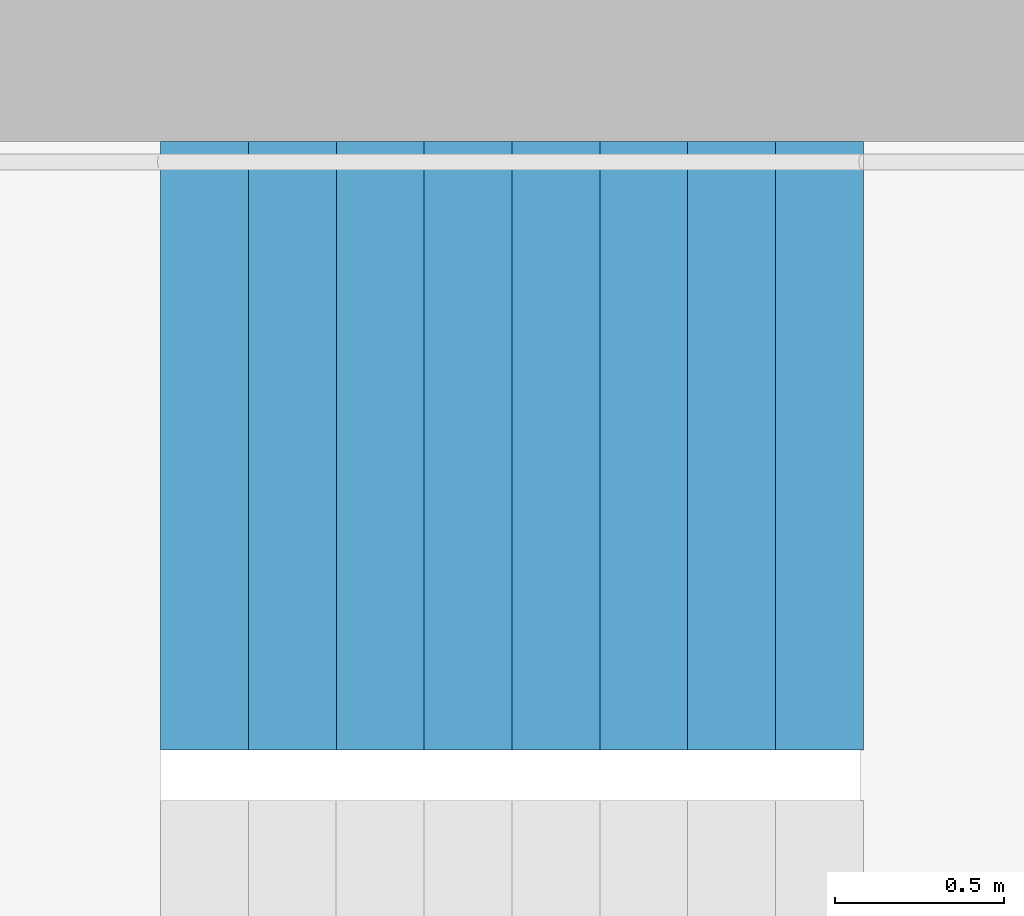
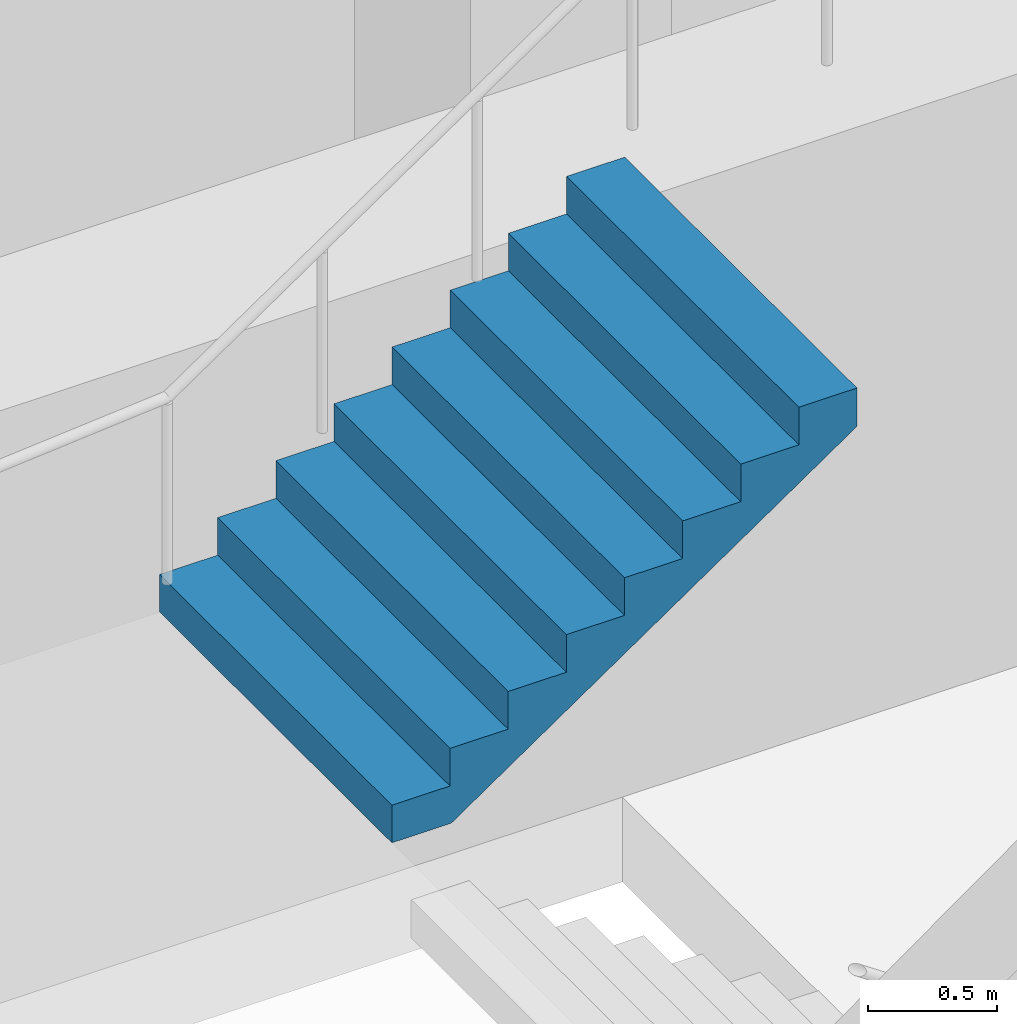
# One storey, part 28 of 29: 1 stair flight, 1 element without a shape of its own.
"""IFC4 building model written with IfcOpenShell, lengths in metres."""

from ifc_helpers import new_model, si_unit, direction, frame, origin, place, context, subcontext, project, spatial, triangles, material, type_object, element, aggregate, save


model = new_model("IFC4")

# Units and contexts
model_context = context("Model", 3, precision=1e-05, world=origin(), true_north=direction((0.0, 1.0)))
body_context = subcontext(model_context, "Body", "Model", "MODEL_VIEW")
ifc_project = project(units=[si_unit("LENGTHUNIT", "METRE"), si_unit("AREAUNIT", "SQUARE_METRE"), si_unit("VOLUMEUNIT", "CUBIC_METRE"), si_unit("PLANEANGLEUNIT", "RADIAN"), si_unit("MASSUNIT", "GRAM", prefix="KILO")], contexts=[model_context])

# Site, building, storey
site_placement = place(None, origin())
site = spatial("IfcSite", under=ifc_project, at=site_placement, CompositionType="ELEMENT")
building_placement = place(site_placement, origin())
building = spatial("IfcBuilding", under=site, at=building_placement, Name="Hakoniwa Tower and Hamabe Station Hall", CompositionType="ELEMENT")
storey_placement = place(building_placement, frame((0.0, 0.0, 113.800048828125)))
storey = spatial("IfcBuildingStorey", under=building, at=storey_placement, Name="L32", CompositionType="ELEMENT", Elevation=113.800048828125)

# Stair, stair flight
ifc_material_1 = material(Name="Concrete C40", Category="concrete")
stair_type = type_object("IfcStairType", Name="ESCAPE STAIR 1800", PredefinedType="HALF_TURN_STAIR", material=ifc_material_1)
stair_placement = place(storey_placement, origin())
stair = element("IfcStair", 1, at=stair_placement, inside=storey, type_object=stair_type, Name="Escape stair ST-3 L32", PredefinedType="HALF_TURN_STAIR")
ifc_material_2 = material(Name="Concrete C40", Category="concrete")
stair_flight_type = type_object("IfcStairFlightType", Name="STAIR FLIGHT 1800", PredefinedType="STRAIGHT", material=ifc_material_2)
stair_flight_placement = place(storey_placement, frame((22.320068359375, 6.60009765625, 1.599853515625), z_axis=(0.0, 0.0, 1.0), x_axis=(1.0, 0.0, 0.0)))
stair_flight = element("IfcStairFlight", 2, at=stair_flight_placement, type_object=stair_flight_type, Name="ST-3 flight 2", NumberOfRisers=9, NumberOfTreads=8, PredefinedType="STRAIGHT", RiserHeight=0.177777778, TreadLength=0.26, context=body_context, shape_type="Tessellation", body=[
    triangles([(0.0, 0.89990234375, 0.0), (0.260009765625, 0.89990234375, 0.0), (0.265625, 0.89990234375, 0.0), (0.52001953125, 0.89990234375, 0.174072265625), (0.780029296875, 0.89990234375, 0.351806640625), (1.0400390625, 0.89990234375, 0.529541015625), (1.300048828125, 0.89990234375, 0.707275390625), (1.56005859375, 0.89990234375, 0.885009765625), (1.820068359375, 0.89990234375, 1.062744140625), (2.080078125, 0.89990234375, 1.24072265625), (2.080078125, 0.89990234375, 1.422119140625), (1.820068359375, 0.89990234375, 1.422119140625), (1.820068359375, 0.89990234375, 1.244384765625), (1.56005859375, 0.89990234375, 1.244384765625), (1.56005859375, 0.89990234375, 1.066650390625), (1.300048828125, 0.89990234375, 1.066650390625), (1.300048828125, 0.89990234375, 0.888916015625), (1.0400390625, 0.89990234375, 0.888916015625), (1.0400390625, 0.89990234375, 0.711181640625), (0.780029296875, 0.89990234375, 0.711181640625), (0.780029296875, 0.89990234375, 0.533447265625), (0.52001953125, 0.89990234375, 0.533447265625), (0.52001953125, 0.89990234375, 0.35546875), (0.265625, 0.89990234375, 0.35546875), (0.260009765625, 0.89990234375, 0.35546875), (0.260009765625, 0.89990234375, 0.177734375), (0.0, 0.89990234375, 0.177734375), (0.0, 0.06005859375, 0.0), (0.260009765625, 0.06005859375, 0.0), (0.265625, 0.06005859375, 0.0), (0.52001953125, 0.06005859375, 0.174072265625), (0.780029296875, 0.06005859375, 0.351806640625), (1.0400390625, 0.06005859375, 0.529541015625), (1.300048828125, 0.06005859375, 0.707275390625), (1.56005859375, 0.06005859375, 0.885009765625), (1.820068359375, 0.06005859375, 1.062744140625), (2.080078125, 0.06005859375, 1.24072265625), (2.080078125, 0.06005859375, 1.422119140625), (1.820068359375, 0.06005859375, 1.422119140625), (1.820068359375, 0.06005859375, 1.244384765625), (1.56005859375, 0.06005859375, 1.244384765625), (1.56005859375, 0.06005859375, 1.066650390625), (1.300048828125, 0.06005859375, 1.066650390625), (1.300048828125, 0.06005859375, 0.888916015625), (1.0400390625, 0.06005859375, 0.888916015625), (1.0400390625, 0.06005859375, 0.711181640625), (0.780029296875, 0.06005859375, 0.711181640625), (0.780029296875, 0.06005859375, 0.533447265625), (0.52001953125, 0.06005859375, 0.533447265625), (0.52001953125, 0.06005859375, 0.35546875), (0.265625, 0.06005859375, 0.35546875), (0.260009765625, 0.06005859375, 0.35546875), (0.260009765625, 0.06005859375, 0.177734375), (0.0, 0.06005859375, 0.177734375), (0.0, 0.04296875, 0.0), (0.260009765625, 0.04296875, 0.0), (0.265625, 0.04296875, 0.0), (0.52001953125, 0.04296875, 0.174072265625), (0.780029296875, 0.04296875, 0.351806640625), (1.0400390625, 0.04296875, 0.529541015625), (1.300048828125, 0.04296875, 0.707275390625), (1.56005859375, 0.04296875, 0.885009765625), (1.820068359375, 0.04296875, 1.062744140625), (2.080078125, 0.04296875, 1.24072265625), (2.080078125, 0.04296875, 1.422119140625), (1.820068359375, 0.04296875, 1.422119140625), (1.820068359375, 0.04296875, 1.244384765625), (1.56005859375, 0.04296875, 1.244384765625), (1.56005859375, 0.04296875, 1.066650390625), (1.300048828125, 0.04296875, 1.066650390625), (1.300048828125, 0.04296875, 0.888916015625), (1.0400390625, 0.04296875, 0.888916015625), (1.0400390625, 0.04296875, 0.711181640625), (0.780029296875, 0.04296875, 0.711181640625), (0.780029296875, 0.04296875, 0.533447265625), (0.52001953125, 0.04296875, 0.533447265625), (0.52001953125, 0.04296875, 0.35546875), (0.265625, 0.04296875, 0.35546875), (0.260009765625, 0.04296875, 0.35546875), (0.260009765625, 0.04296875, 0.177734375), (0.0, 0.04296875, 0.177734375), (0.0, 0.025634765625, 0.0), (0.260009765625, 0.025634765625, 0.0), (0.265625, 0.025634765625, 0.0), (0.52001953125, 0.025634765625, 0.174072265625), (0.780029296875, 0.025634765625, 0.351806640625), (1.0400390625, 0.025634765625, 0.529541015625), (1.300048828125, 0.025634765625, 0.707275390625), (1.56005859375, 0.025634765625, 0.885009765625), (1.820068359375, 0.025634765625, 1.062744140625), (2.080078125, 0.025634765625, 1.24072265625), (2.080078125, 0.025634765625, 1.422119140625), (1.820068359375, 0.025634765625, 1.422119140625), (1.820068359375, 0.025634765625, 1.244384765625), (1.56005859375, 0.025634765625, 1.244384765625), (1.56005859375, 0.025634765625, 1.066650390625), (1.300048828125, 0.025634765625, 1.066650390625), (1.300048828125, 0.025634765625, 0.888916015625), (1.0400390625, 0.025634765625, 0.888916015625), (1.0400390625, 0.025634765625, 0.711181640625), (0.780029296875, 0.025634765625, 0.711181640625), (0.780029296875, 0.025634765625, 0.533447265625), (0.52001953125, 0.025634765625, 0.533447265625), (0.52001953125, 0.025634765625, 0.35546875), (0.265625, 0.025634765625, 0.35546875), (0.260009765625, 0.025634765625, 0.35546875), (0.260009765625, 0.025634765625, 0.177734375), (0.0, 0.025634765625, 0.177734375), (0.0, 0.008544921875, 0.0), (0.260009765625, 0.008544921875, 0.0), (0.265625, 0.008544921875, 0.0), (0.52001953125, 0.008544921875, 0.174072265625), (0.780029296875, 0.008544921875, 0.351806640625), (1.0400390625, 0.008544921875, 0.529541015625), (1.300048828125, 0.008544921875, 0.707275390625), (1.56005859375, 0.008544921875, 0.885009765625), (1.820068359375, 0.008544921875, 1.062744140625), (2.080078125, 0.008544921875, 1.24072265625), (2.080078125, 0.008544921875, 1.422119140625), (1.820068359375, 0.008544921875, 1.422119140625), (1.820068359375, 0.008544921875, 1.244384765625), (1.56005859375, 0.008544921875, 1.244384765625), (1.56005859375, 0.008544921875, 1.066650390625), (1.300048828125, 0.008544921875, 1.066650390625), (1.300048828125, 0.008544921875, 0.888916015625), (1.0400390625, 0.008544921875, 0.888916015625), (1.0400390625, 0.008544921875, 0.711181640625), (0.780029296875, 0.008544921875, 0.711181640625), (0.780029296875, 0.008544921875, 0.533447265625), (0.52001953125, 0.008544921875, 0.533447265625), (0.52001953125, 0.008544921875, 0.35546875), (0.265625, 0.008544921875, 0.35546875), (0.260009765625, 0.008544921875, 0.35546875), (0.260009765625, 0.008544921875, 0.177734375), (0.0, 0.008544921875, 0.177734375), (0.0, -0.008544921875, 0.0), (0.260009765625, -0.008544921875, 0.0), (0.265625, -0.008544921875, 0.0), (0.52001953125, -0.008544921875, 0.174072265625), (0.780029296875, -0.008544921875, 0.351806640625), (1.0400390625, -0.008544921875, 0.529541015625), (1.300048828125, -0.008544921875, 0.707275390625), (1.56005859375, -0.008544921875, 0.885009765625), (1.820068359375, -0.008544921875, 1.062744140625), (2.080078125, -0.008544921875, 1.24072265625), (2.080078125, -0.008544921875, 1.422119140625), (1.820068359375, -0.008544921875, 1.422119140625), (1.820068359375, -0.008544921875, 1.244384765625), (1.56005859375, -0.008544921875, 1.244384765625), (1.56005859375, -0.008544921875, 1.066650390625), (1.300048828125, -0.008544921875, 1.066650390625), (1.300048828125, -0.008544921875, 0.888916015625), (1.0400390625, -0.008544921875, 0.888916015625), (1.0400390625, -0.008544921875, 0.711181640625), (0.780029296875, -0.008544921875, 0.711181640625), (0.780029296875, -0.008544921875, 0.533447265625), (0.52001953125, -0.008544921875, 0.533447265625), (0.52001953125, -0.008544921875, 0.35546875), (0.265625, -0.008544921875, 0.35546875), (0.260009765625, -0.008544921875, 0.35546875), (0.260009765625, -0.008544921875, 0.177734375), (0.0, -0.008544921875, 0.177734375), (0.0, -0.025634765625, 0.0), (0.260009765625, -0.025634765625, 0.0), (0.265625, -0.025634765625, 0.0), (0.52001953125, -0.025634765625, 0.174072265625), (0.780029296875, -0.025634765625, 0.351806640625), (1.0400390625, -0.025634765625, 0.529541015625), (1.300048828125, -0.025634765625, 0.707275390625), (1.56005859375, -0.025634765625, 0.885009765625), (1.820068359375, -0.025634765625, 1.062744140625), (2.080078125, -0.025634765625, 1.24072265625), (2.080078125, -0.025634765625, 1.422119140625), (1.820068359375, -0.025634765625, 1.422119140625), (1.820068359375, -0.025634765625, 1.244384765625), (1.56005859375, -0.025634765625, 1.244384765625), (1.56005859375, -0.025634765625, 1.066650390625), (1.300048828125, -0.025634765625, 1.066650390625), (1.300048828125, -0.025634765625, 0.888916015625), (1.0400390625, -0.025634765625, 0.888916015625), (1.0400390625, -0.025634765625, 0.711181640625), (0.780029296875, -0.025634765625, 0.711181640625), (0.780029296875, -0.025634765625, 0.533447265625), (0.52001953125, -0.025634765625, 0.533447265625), (0.52001953125, -0.025634765625, 0.35546875), (0.265625, -0.025634765625, 0.35546875), (0.260009765625, -0.025634765625, 0.35546875), (0.260009765625, -0.025634765625, 0.177734375), (0.0, -0.025634765625, 0.177734375), (0.0, -0.04296875, 0.0), (0.260009765625, -0.04296875, 0.0), (0.265625, -0.04296875, 0.0), (0.52001953125, -0.04296875, 0.174072265625), (0.780029296875, -0.04296875, 0.351806640625), (1.0400390625, -0.04296875, 0.529541015625), (1.300048828125, -0.04296875, 0.707275390625), (1.56005859375, -0.04296875, 0.885009765625), (1.820068359375, -0.04296875, 1.062744140625), (2.080078125, -0.04296875, 1.24072265625), (2.080078125, -0.04296875, 1.422119140625), (1.820068359375, -0.04296875, 1.422119140625), (1.820068359375, -0.04296875, 1.244384765625), (1.56005859375, -0.04296875, 1.244384765625), (1.56005859375, -0.04296875, 1.066650390625), (1.300048828125, -0.04296875, 1.066650390625), (1.300048828125, -0.04296875, 0.888916015625), (1.0400390625, -0.04296875, 0.888916015625), (1.0400390625, -0.04296875, 0.711181640625), (0.780029296875, -0.04296875, 0.711181640625), (0.780029296875, -0.04296875, 0.533447265625), (0.52001953125, -0.04296875, 0.533447265625), (0.52001953125, -0.04296875, 0.35546875), (0.265625, -0.04296875, 0.35546875), (0.260009765625, -0.04296875, 0.35546875), (0.260009765625, -0.04296875, 0.177734375), (0.0, -0.04296875, 0.177734375), (0.0, -0.06005859375, 0.0), (0.260009765625, -0.06005859375, 0.0), (0.265625, -0.06005859375, 0.0), (0.52001953125, -0.06005859375, 0.174072265625), (0.780029296875, -0.06005859375, 0.351806640625), (1.0400390625, -0.06005859375, 0.529541015625), (1.300048828125, -0.06005859375, 0.707275390625), (1.56005859375, -0.06005859375, 0.885009765625), (1.820068359375, -0.06005859375, 1.062744140625), (2.080078125, -0.06005859375, 1.24072265625), (2.080078125, -0.06005859375, 1.422119140625), (1.820068359375, -0.06005859375, 1.422119140625), (1.820068359375, -0.06005859375, 1.244384765625), (1.56005859375, -0.06005859375, 1.244384765625), (1.56005859375, -0.06005859375, 1.066650390625), (1.300048828125, -0.06005859375, 1.066650390625), (1.300048828125, -0.06005859375, 0.888916015625), (1.0400390625, -0.06005859375, 0.888916015625), (1.0400390625, -0.06005859375, 0.711181640625), (0.780029296875, -0.06005859375, 0.711181640625), (0.780029296875, -0.06005859375, 0.533447265625), (0.52001953125, -0.06005859375, 0.533447265625), (0.52001953125, -0.06005859375, 0.35546875), (0.265625, -0.06005859375, 0.35546875), (0.260009765625, -0.06005859375, 0.35546875), (0.260009765625, -0.06005859375, 0.177734375), (0.0, -0.06005859375, 0.177734375), (0.0, -0.89990234375, 0.0), (0.260009765625, -0.89990234375, 0.0), (0.265625, -0.89990234375, 0.0), (0.52001953125, -0.89990234375, 0.174072265625), (0.780029296875, -0.89990234375, 0.351806640625), (1.0400390625, -0.89990234375, 0.529541015625), (1.300048828125, -0.89990234375, 0.707275390625), (1.56005859375, -0.89990234375, 0.885009765625), (1.820068359375, -0.89990234375, 1.062744140625), (2.080078125, -0.89990234375, 1.24072265625), (2.080078125, -0.89990234375, 1.422119140625), (1.820068359375, -0.89990234375, 1.422119140625), (1.820068359375, -0.89990234375, 1.244384765625), (1.56005859375, -0.89990234375, 1.244384765625), (1.56005859375, -0.89990234375, 1.066650390625), (1.300048828125, -0.89990234375, 1.066650390625), (1.300048828125, -0.89990234375, 0.888916015625), (1.0400390625, -0.89990234375, 0.888916015625), (1.0400390625, -0.89990234375, 0.711181640625), (0.780029296875, -0.89990234375, 0.711181640625), (0.780029296875, -0.89990234375, 0.533447265625), (0.52001953125, -0.89990234375, 0.533447265625), (0.52001953125, -0.89990234375, 0.35546875), (0.265625, -0.89990234375, 0.35546875), (0.260009765625, -0.89990234375, 0.35546875), (0.260009765625, -0.89990234375, 0.177734375), (0.0, -0.89990234375, 0.177734375)], [[2, 27, 26], [245, 269, 270], [2, 1, 27], [245, 270, 244], [3, 25, 24], [246, 267, 268], [3, 26, 25], [246, 268, 269], [3, 2, 26], [246, 269, 245], [4, 24, 23], [247, 266, 267], [4, 3, 24], [247, 267, 246], [5, 22, 21], [248, 264, 265], [5, 23, 22], [248, 265, 266], [5, 4, 23], [248, 266, 247], [6, 20, 19], [249, 262, 263], [6, 21, 20], [249, 263, 264], [6, 5, 21], [249, 264, 248], [7, 18, 17], [250, 260, 261], [7, 19, 18], [250, 261, 262], [7, 6, 19], [250, 262, 249], [8, 16, 15], [251, 258, 259], [8, 17, 16], [251, 259, 260], [8, 7, 17], [251, 260, 250], [9, 14, 13], [252, 256, 257], [9, 15, 14], [252, 257, 258], [9, 8, 15], [252, 258, 251], [10, 12, 11], [253, 254, 255], [10, 13, 12], [253, 255, 256], [10, 9, 13], [253, 256, 252], [1, 2, 29], [1, 29, 28], [28, 29, 56], [28, 56, 55], [55, 56, 83], [55, 83, 82], [82, 83, 110], [82, 110, 109], [109, 110, 137], [109, 137, 136], [136, 137, 164], [136, 164, 163], [163, 164, 191], [163, 191, 190], [190, 191, 218], [190, 218, 217], [217, 218, 245], [217, 245, 244], [2, 3, 30], [2, 30, 29], [29, 30, 57], [29, 57, 56], [56, 57, 84], [56, 84, 83], [83, 84, 111], [83, 111, 110], [110, 111, 138], [110, 138, 137], [137, 138, 165], [137, 165, 164], [164, 165, 192], [164, 192, 191], [191, 192, 219], [191, 219, 218], [218, 219, 246], [218, 246, 245], [3, 4, 31], [3, 31, 30], [30, 31, 58], [30, 58, 57], [57, 58, 85], [57, 85, 84], [84, 85, 112], [84, 112, 111], [111, 112, 139], [111, 139, 138], [138, 139, 166], [138, 166, 165], [165, 166, 193], [165, 193, 192], [192, 193, 220], [192, 220, 219], [219, 220, 247], [219, 247, 246], [4, 5, 32], [4, 32, 31], [31, 32, 59], [31, 59, 58], [58, 59, 86], [58, 86, 85], [85, 86, 113], [85, 113, 112], [112, 113, 140], [112, 140, 139], [139, 140, 167], [139, 167, 166], [166, 167, 194], [166, 194, 193], [193, 194, 221], [193, 221, 220], [220, 221, 248], [220, 248, 247], [5, 6, 33], [5, 33, 32], [32, 33, 60], [32, 60, 59], [59, 60, 87], [59, 87, 86], [86, 87, 114], [86, 114, 113], [113, 114, 141], [113, 141, 140], [140, 141, 168], [140, 168, 167], [167, 168, 195], [167, 195, 194], [194, 195, 222], [194, 222, 221], [221, 222, 249], [221, 249, 248], [6, 7, 34], [6, 34, 33], [33, 34, 61], [33, 61, 60], [60, 61, 88], [60, 88, 87], [87, 88, 115], [87, 115, 114], [114, 115, 142], [114, 142, 141], [141, 142, 169], [141, 169, 168], [168, 169, 196], [168, 196, 195], [195, 196, 223], [195, 223, 222], [222, 223, 250], [222, 250, 249], [7, 8, 35], [7, 35, 34], [34, 35, 62], [34, 62, 61], [61, 62, 89], [61, 89, 88], [88, 89, 116], [88, 116, 115], [115, 116, 143], [115, 143, 142], [142, 143, 170], [142, 170, 169], [169, 170, 197], [169, 197, 196], [196, 197, 224], [196, 224, 223], [223, 224, 251], [223, 251, 250], [8, 9, 36], [8, 36, 35], [35, 36, 63], [35, 63, 62], [62, 63, 90], [62, 90, 89], [89, 90, 117], [89, 117, 116], [116, 117, 144], [116, 144, 143], [143, 144, 171], [143, 171, 170], [170, 171, 198], [170, 198, 197], [197, 198, 225], [197, 225, 224], [224, 225, 252], [224, 252, 251], [9, 10, 37], [9, 37, 36], [36, 37, 64], [36, 64, 63], [63, 64, 91], [63, 91, 90], [90, 91, 118], [90, 118, 117], [117, 118, 145], [117, 145, 144], [144, 145, 172], [144, 172, 171], [171, 172, 199], [171, 199, 198], [198, 199, 226], [198, 226, 225], [225, 226, 253], [225, 253, 252], [10, 11, 38], [10, 38, 37], [37, 38, 65], [37, 65, 64], [64, 65, 92], [64, 92, 91], [91, 92, 119], [91, 119, 118], [118, 119, 146], [118, 146, 145], [145, 146, 173], [145, 173, 172], [172, 173, 200], [172, 200, 199], [199, 200, 227], [199, 227, 226], [226, 227, 254], [226, 254, 253], [11, 12, 39], [11, 39, 38], [38, 39, 66], [38, 66, 65], [65, 66, 93], [65, 93, 92], [92, 93, 120], [92, 120, 119], [119, 120, 147], [119, 147, 146], [146, 147, 174], [146, 174, 173], [173, 174, 201], [173, 201, 200], [200, 201, 228], [200, 228, 227], [227, 228, 255], [227, 255, 254], [12, 13, 40], [12, 40, 39], [39, 40, 67], [39, 67, 66], [66, 67, 94], [66, 94, 93], [93, 94, 121], [93, 121, 120], [120, 121, 148], [120, 148, 147], [147, 148, 175], [147, 175, 174], [174, 175, 202], [174, 202, 201], [201, 202, 229], [201, 229, 228], [228, 229, 256], [228, 256, 255], [13, 14, 41], [13, 41, 40], [40, 41, 68], [40, 68, 67], [67, 68, 95], [67, 95, 94], [94, 95, 122], [94, 122, 121], [121, 122, 149], [121, 149, 148], [148, 149, 176], [148, 176, 175], [175, 176, 203], [175, 203, 202], [202, 203, 230], [202, 230, 229], [229, 230, 257], [229, 257, 256], [14, 15, 42], [14, 42, 41], [41, 42, 69], [41, 69, 68], [68, 69, 96], [68, 96, 95], [95, 96, 123], [95, 123, 122], [122, 123, 150], [122, 150, 149], [149, 150, 177], [149, 177, 176], [176, 177, 204], [176, 204, 203], [203, 204, 231], [203, 231, 230], [230, 231, 258], [230, 258, 257], [15, 16, 43], [15, 43, 42], [42, 43, 70], [42, 70, 69], [69, 70, 97], [69, 97, 96], [96, 97, 124], [96, 124, 123], [123, 124, 151], [123, 151, 150], [150, 151, 178], [150, 178, 177], [177, 178, 205], [177, 205, 204], [204, 205, 232], [204, 232, 231], [231, 232, 259], [231, 259, 258], [16, 17, 44], [16, 44, 43], [43, 44, 71], [43, 71, 70], [70, 71, 98], [70, 98, 97], [97, 98, 125], [97, 125, 124], [124, 125, 152], [124, 152, 151], [151, 152, 179], [151, 179, 178], [178, 179, 206], [178, 206, 205], [205, 206, 233], [205, 233, 232], [232, 233, 260], [232, 260, 259], [17, 18, 45], [17, 45, 44], [44, 45, 72], [44, 72, 71], [71, 72, 99], [71, 99, 98], [98, 99, 126], [98, 126, 125], [125, 126, 153], [125, 153, 152], [152, 153, 180], [152, 180, 179], [179, 180, 207], [179, 207, 206], [206, 207, 234], [206, 234, 233], [233, 234, 261], [233, 261, 260], [18, 19, 46], [18, 46, 45], [45, 46, 73], [45, 73, 72], [72, 73, 100], [72, 100, 99], [99, 100, 127], [99, 127, 126], [126, 127, 154], [126, 154, 153], [153, 154, 181], [153, 181, 180], [180, 181, 208], [180, 208, 207], [207, 208, 235], [207, 235, 234], [234, 235, 262], [234, 262, 261], [19, 20, 47], [19, 47, 46], [46, 47, 74], [46, 74, 73], [73, 74, 101], [73, 101, 100], [100, 101, 128], [100, 128, 127], [127, 128, 155], [127, 155, 154], [154, 155, 182], [154, 182, 181], [181, 182, 209], [181, 209, 208], [208, 209, 236], [208, 236, 235], [235, 236, 263], [235, 263, 262], [20, 21, 48], [20, 48, 47], [47, 48, 75], [47, 75, 74], [74, 75, 102], [74, 102, 101], [101, 102, 129], [101, 129, 128], [128, 129, 156], [128, 156, 155], [155, 156, 183], [155, 183, 182], [182, 183, 210], [182, 210, 209], [209, 210, 237], [209, 237, 236], [236, 237, 264], [236, 264, 263], [21, 22, 49], [21, 49, 48], [48, 49, 76], [48, 76, 75], [75, 76, 103], [75, 103, 102], [102, 103, 130], [102, 130, 129], [129, 130, 157], [129, 157, 156], [156, 157, 184], [156, 184, 183], [183, 184, 211], [183, 211, 210], [210, 211, 238], [210, 238, 237], [237, 238, 265], [237, 265, 264], [22, 23, 50], [22, 50, 49], [49, 50, 77], [49, 77, 76], [76, 77, 104], [76, 104, 103], [103, 104, 131], [103, 131, 130], [130, 131, 158], [130, 158, 157], [157, 158, 185], [157, 185, 184], [184, 185, 212], [184, 212, 211], [211, 212, 239], [211, 239, 238], [238, 239, 266], [238, 266, 265], [23, 24, 51], [23, 51, 50], [50, 51, 78], [50, 78, 77], [77, 78, 105], [77, 105, 104], [104, 105, 132], [104, 132, 131], [131, 132, 159], [131, 159, 158], [158, 159, 186], [158, 186, 185], [185, 186, 213], [185, 213, 212], [212, 213, 240], [212, 240, 239], [239, 240, 267], [239, 267, 266], [24, 25, 52], [24, 52, 51], [51, 52, 79], [51, 79, 78], [78, 79, 106], [78, 106, 105], [105, 106, 133], [105, 133, 132], [132, 133, 160], [132, 160, 159], [159, 160, 187], [159, 187, 186], [186, 187, 214], [186, 214, 213], [213, 214, 241], [213, 241, 240], [240, 241, 268], [240, 268, 267], [25, 26, 53], [25, 53, 52], [52, 53, 80], [52, 80, 79], [79, 80, 107], [79, 107, 106], [106, 107, 134], [106, 134, 133], [133, 134, 161], [133, 161, 160], [160, 161, 188], [160, 188, 187], [187, 188, 215], [187, 215, 214], [214, 215, 242], [214, 242, 241], [241, 242, 269], [241, 269, 268], [26, 27, 54], [26, 54, 53], [53, 54, 81], [53, 81, 80], [80, 81, 108], [80, 108, 107], [107, 108, 135], [107, 135, 134], [134, 135, 162], [134, 162, 161], [161, 162, 189], [161, 189, 188], [188, 189, 216], [188, 216, 215], [215, 216, 243], [215, 243, 242], [242, 243, 270], [242, 270, 269], [27, 1, 28], [27, 28, 54], [54, 28, 55], [54, 55, 81], [81, 55, 82], [81, 82, 108], [108, 82, 109], [108, 109, 135], [135, 109, 136], [135, 136, 162], [162, 136, 163], [162, 163, 189], [189, 163, 190], [189, 190, 216], [216, 190, 217], [216, 217, 243], [243, 217, 244], [243, 244, 270]], closed=True),
])
aggregate(stair, [stair_flight])

save(model, "model.ifc")
